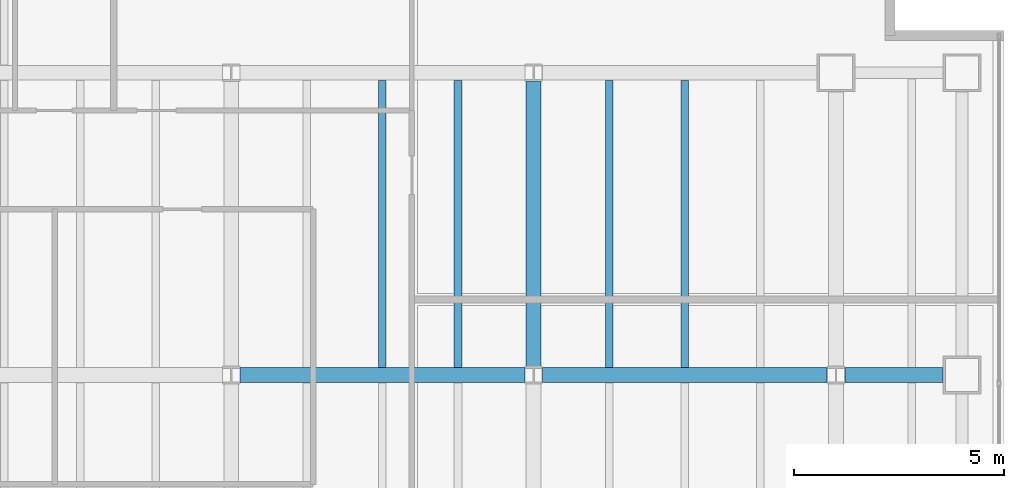
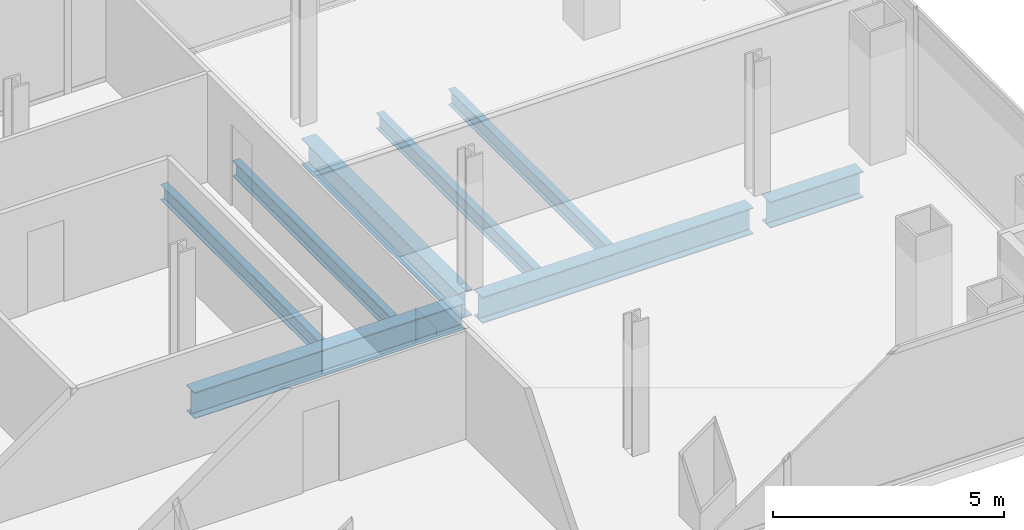
# One storey, part 12 of 23: 8 beams.
"""IFC4 building model written with IfcOpenShell, lengths in metres."""

from ifc_helpers import new_model, si_unit, direction, frame, origin, origin_2d, place, context, subcontext, project, spatial, i_section, extrude, material, material_profile, profile_set, type_object, element, save


model = new_model("IFC4")

# Units and contexts
model_context = context("Model", 3, precision=1e-05, world=origin(), true_north=direction((0.0, 1.0)))
body_context = subcontext(model_context, "Body", "Model", "MODEL_VIEW")
ifc_project = project(units=[si_unit("LENGTHUNIT", "METRE"), si_unit("AREAUNIT", "SQUARE_METRE"), si_unit("VOLUMEUNIT", "CUBIC_METRE"), si_unit("PLANEANGLEUNIT", "RADIAN"), si_unit("MASSUNIT", "GRAM", prefix="KILO")], contexts=[model_context])

# Site, building, storey
site_placement = place(None, origin())
site = spatial("IfcSite", under=ifc_project, at=site_placement, CompositionType="ELEMENT")
building_placement = place(site_placement, origin())
building = spatial("IfcBuilding", under=site, at=building_placement, Name="Cobrela Telecom Tower", CompositionType="ELEMENT")
storey_placement = place(building_placement, frame((0.0, 0.0, 140.699951171875)))
storey = spatial("IfcBuildingStorey", under=building, at=storey_placement, Name="L35", CompositionType="ELEMENT", Elevation=140.699951171875)

# Beams
ifc_material = material(Name="Steel ASTM A992 Grade 50", Category="steel")
ifc_material_profile_1 = material_profile(ifc_material, i_section(OverallWidth=0.35595703125, OverallDepth=0.696044921875, WebThickness=0.015380859375, FlangeThickness=0.024658203125, FilletRadius=0.01806640625, at=origin_2d()), Name="W27X146")
ifc_profile_set_1 = profile_set([ifc_material_profile_1], Name="Steel ASTM A992 Grade 50")
beam_type_1 = type_object("IfcBeamType", Name="BM-GIRD-05", PredefinedType="USERDEFINED", material=ifc_profile_set_1)
for number, where, z_axis, x_axis, name in (
    (1, (29.009521484375, 14.39990234375, -0.617919921875), (1.0, 0.0, 0.0), (0.0, 1.0, 0.0), "L35 Primary Girder X15"),
    (2, (36.20947265625, 14.39990234375, -0.617919921875), (1.0, 0.0, 0.0), (0.0, 1.0, 0.0), "L35 Primary Girder X16"),
):
    element("IfcBeam", number, at=place(storey_placement, frame(where, z_axis=z_axis, x_axis=x_axis)), inside=storey, type_object=beam_type_1, Name=name, ObjectType="GIRDER", PredefinedType="USERDEFINED", context=body_context, shape_type="SweptSolid", body=[
        extrude(i_section(OverallWidth=0.35595703125, OverallDepth=0.696044921875, WebThickness=0.015380859375, FlangeThickness=0.024658203125, FilletRadius=0.01806640625, at=origin_2d()), origin(), (0.0, 0.0, 1.0), 6.781005859375),
    ])
beam_1_placement = place(storey_placement, frame((43.409423828125, 14.39990234375, -0.617919921875), z_axis=(1.0, 0.0, 0.0), x_axis=(0.0, 1.0, 0.0)))
element("IfcBeam", 3, at=beam_1_placement, inside=storey, type_object=beam_type_1, Name="L35 Primary Girder X17", ObjectType="GIRDER", PredefinedType="USERDEFINED", context=body_context, shape_type="SweptSolid", body=[
    extrude(i_section(OverallWidth=0.35595703125, OverallDepth=0.696044921875, WebThickness=0.015380859375, FlangeThickness=0.024658203125, FilletRadius=0.01806640625, at=origin_2d()), origin(), (0.0, 0.0, 1.0), 2.335693359375),
])
beam_2_placement = place(storey_placement, frame((36.0, 14.609619140625, -0.617919921875), z_axis=(0.0, 1.0, 0.0), x_axis=(-1.0, 0.0, 0.0)))
element("IfcBeam", 4, at=beam_2_placement, inside=storey, type_object=beam_type_1, Name="L35 Primary Girder Y51", ObjectType="GIRDER", PredefinedType="USERDEFINED", context=body_context, shape_type="SweptSolid", body=[
    extrude(i_section(OverallWidth=0.35595703125, OverallDepth=0.696044921875, WebThickness=0.015380859375, FlangeThickness=0.024658203125, FilletRadius=0.01806640625, at=origin_2d()), origin(), (0.0, 0.0, 1.0), 6.78076171875),
])
ifc_material_profile_2 = material_profile(ifc_material, i_section(OverallWidth=0.179931640625, OverallDepth=0.4169921875, WebThickness=0.010986328125, FlangeThickness=0.01806640625, FilletRadius=0.011962890625, at=origin_2d()), Name="W16X57")
ifc_profile_set_2 = profile_set([ifc_material_profile_2], Name="Steel ASTM A992 Grade 50")
beam_type_2 = type_object("IfcBeamType", Name="BM-JOIST-04", PredefinedType="JOIST", material=ifc_profile_set_2)
for number, where, z_axis, x_axis, name in (
    (5, (32.39990234375, 14.5830078125, -0.478515625), (0.0, 1.0, 0.0), (-1.0, 0.0, 0.0), "L35 Secondary Composite Floor Beam J30"),
    (6, (34.199951171875, 14.5830078125, -0.478515625), (0.0, 1.0, 0.0), (-1.0, 0.0, 0.0), "L35 Secondary Composite Floor Beam J32"),
    (7, (37.800048828125, 14.5830078125, -0.478515625), (0.0, 1.0, 0.0), (-1.0, 0.0, 0.0), "L35 Secondary Composite Floor Beam J34"),
    (8, (39.60009765625, 14.5830078125, -0.478515625), (0.0, 1.0, 0.0), (-1.0, 0.0, 0.0), "L35 Secondary Composite Floor Beam J36"),
):
    element("IfcBeam", number, at=place(storey_placement, frame(where, z_axis=z_axis, x_axis=x_axis)), inside=storey, type_object=beam_type_2, Name=name, PredefinedType="JOIST", context=body_context, shape_type="SweptSolid", body=[
        extrude(i_section(OverallWidth=0.179931640625, OverallDepth=0.4169921875, WebThickness=0.010986328125, FlangeThickness=0.01806640625, FilletRadius=0.011962890625, at=origin_2d()), origin(), (0.0, 0.0, 1.0), 6.833984375),
    ])

save(model, "model.ifc")
